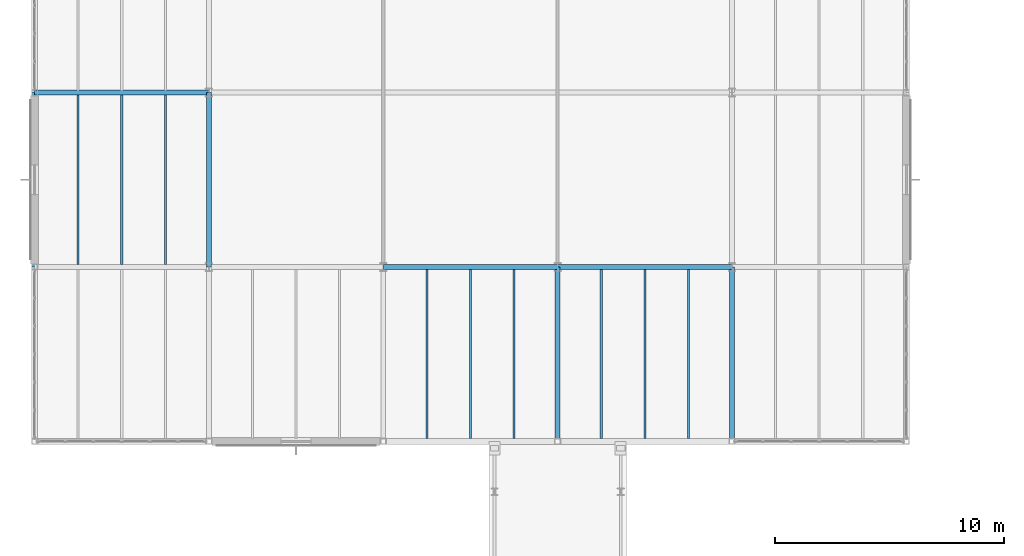
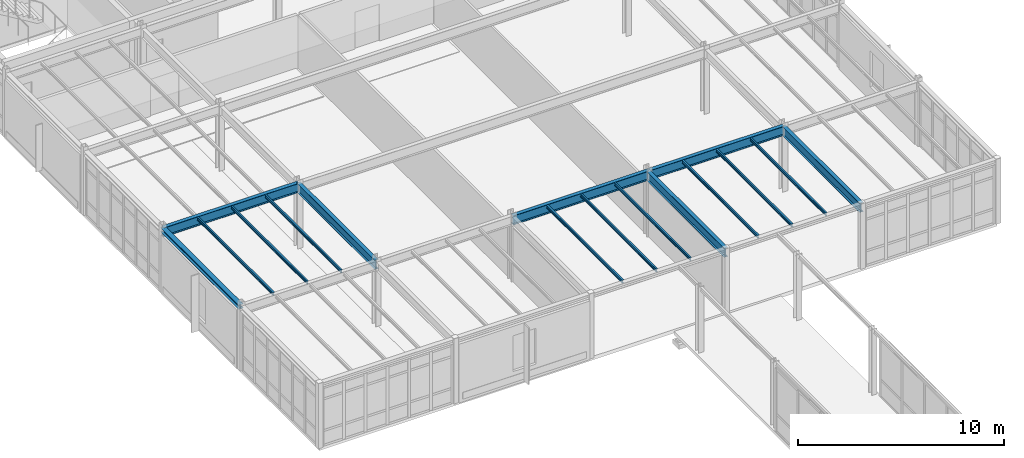
# One storey, part 62 of 189: 16 beams.
"""IFC4 building model written with IfcOpenShell, lengths in metres."""

from ifc_helpers import new_model, si_unit, direction, frame, origin, origin_2d, place, context, subcontext, project, spatial, i_section, extrude, material, material_profile, profile_set, type_object, element, save


model = new_model("IFC4")

# Units and contexts
model_context = context("Model", 3, precision=1e-05, world=origin(), true_north=direction((0.0, 1.0)))
body_context = subcontext(model_context, "Body", "Model", "MODEL_VIEW")
ifc_project = project(units=[si_unit("LENGTHUNIT", "METRE"), si_unit("AREAUNIT", "SQUARE_METRE"), si_unit("VOLUMEUNIT", "CUBIC_METRE"), si_unit("PLANEANGLEUNIT", "RADIAN"), si_unit("MASSUNIT", "GRAM", prefix="KILO")], contexts=[model_context])

# Site, building, storey
site_placement = place(None, origin())
site = spatial("IfcSite", under=ifc_project, at=site_placement, CompositionType="ELEMENT")
building_placement = place(site_placement, origin())
building = spatial("IfcBuilding", under=site, at=building_placement, Name="Montecoro Central Library", CompositionType="ELEMENT")
storey_placement = place(building_placement, frame((0.0, 0.0, 9.179931640625)))
storey = spatial("IfcBuildingStorey", under=building, at=storey_placement, Name="L02", CompositionType="ELEMENT", Elevation=9.179931640625)

# Beams
ifc_material_1 = material(Name="Steel S355J2", Category="steel")
ifc_material_profile_1 = material_profile(ifc_material_1, i_section(OverallWidth=0.2099609375, OverallDepth=0.550048828125, WebThickness=0.010986328125, FlangeThickness=0.01708984375, at=origin_2d()), Name="IPE 550")
ifc_profile_set_1 = profile_set([ifc_material_profile_1], Name="Steel S355J2")
beam_type_1 = type_object("IfcBeamType", Name="BM-G-IPE550", PredefinedType="USERDEFINED", material=ifc_profile_set_1)
beam_1_placement = place(storey_placement, frame((20.205078125, 81.0, 3.550048828125), z_axis=(1.0, 0.0, 0.0), x_axis=(0.0, 1.0, 0.0)))
element("IfcBeam", 1, at=beam_1_placement, inside=storey, type_object=beam_type_1, Name="V4-L02-BX-34-L", ObjectType="GIRDER", PredefinedType="USERDEFINED", context=body_context, shape_type="SweptSolid", body=[
    extrude(i_section(OverallWidth=0.2099609375, OverallDepth=0.550048828125, WebThickness=0.010986328125, FlangeThickness=0.01708984375, at=origin_2d()), origin(), (0.0, 0.0, 1.0), 7.58984375),
])
for number, where, z_axis, x_axis, name in (
    (2, (27.804931640625, 81.0, 3.550048828125), (1.0, 0.0, 0.0), (0.0, 1.0, 0.0), "V4-L02-BX-45-L"),
    (3, (5.0048828125, 88.60009765625, 3.550048828125), (1.0, 0.0, 0.0), (0.0, 1.0, 0.0), "V4-L02-BX-12-M"),
    (4, (12.60009765625, 81.0048828125, 3.550048828125), (0.0, 1.0, 0.0), (-1.0, 0.0, 0.0), "V4-L02-BY-2-LM"),
    (5, (27.800048828125, 73.405029296875, 3.550048828125), (0.0, 1.0, 0.0), (-1.0, 0.0, 0.0), "V4-L02-BY-4-KL"),
    (6, (35.39990234375, 73.405029296875, 3.550048828125), (0.0, 1.0, 0.0), (-1.0, 0.0, 0.0), "V4-L02-BY-5-KL"),
):
    element("IfcBeam", number, at=place(storey_placement, frame(where, z_axis=z_axis, x_axis=x_axis)), inside=storey, type_object=beam_type_1, Name=name, ObjectType="GIRDER", PredefinedType="USERDEFINED", context=body_context, shape_type="SweptSolid", body=[
        extrude(i_section(OverallWidth=0.2099609375, OverallDepth=0.550048828125, WebThickness=0.010986328125, FlangeThickness=0.01708984375, at=origin_2d()), origin(), (0.0, 0.0, 1.0), 7.590087890625),
    ])
ifc_material_2 = material(Name="Steel S355", Category="steel")
ifc_material_profile_2 = material_profile(ifc_material_2, i_section(OverallWidth=0.091064453125, OverallDepth=0.179931640625, WebThickness=0.00537109375, FlangeThickness=0.008056640625, at=origin_2d()), Name="IPE 180")
ifc_profile_set_2 = profile_set([ifc_material_profile_2], Name="Steel S355")
beam_type_2 = type_object("IfcBeamType", Name="BM-J-IPE180", PredefinedType="JOIST", material=ifc_profile_set_2)
for number, where, z_axis, x_axis, name in (
    (7, (6.89990234375, 81.10205078125, 3.735107421875), (0.0, 1.0, 0.0), (-1.0, 0.0, 0.0), "V4-L02-JS-12-LM-1"),
    (8, (8.800048828125, 81.10205078125, 3.735107421875), (0.0, 1.0, 0.0), (-1.0, 0.0, 0.0), "V4-L02-JS-12-LM-2"),
    (9, (10.699951171875, 81.10205078125, 3.735107421875), (0.0, 1.0, 0.0), (-1.0, 0.0, 0.0), "V4-L02-JS-12-LM-3"),
):
    element("IfcBeam", number, at=place(storey_placement, frame(where, z_axis=z_axis, x_axis=x_axis)), inside=storey, type_object=beam_type_2, Name=name, PredefinedType="JOIST", context=body_context, shape_type="SweptSolid", body=[
        extrude(i_section(OverallWidth=0.091064453125, OverallDepth=0.179931640625, WebThickness=0.00537109375, FlangeThickness=0.008056640625, at=origin_2d()), origin(), (0.0, 0.0, 1.0), 7.39599609375),
    ])
for number, where, z_axis, x_axis, name in (
    (10, (22.10009765625, 73.527099609375, 3.735107421875), (0.0, 1.0, 0.0), (-1.0, 0.0, 0.0), "V4-L02-JS-34-KL-1"),
    (11, (24.0, 73.527099609375, 3.735107421875), (0.0, 1.0, 0.0), (-1.0, 0.0, 0.0), "V4-L02-JS-34-KL-2"),
    (12, (25.89990234375, 73.527099609375, 3.735107421875), (0.0, 1.0, 0.0), (-1.0, 0.0, 0.0), "V4-L02-JS-34-KL-3"),
    (13, (29.699951171875, 73.527099609375, 3.735107421875), (0.0, 1.0, 0.0), (-1.0, 0.0, 0.0), "V4-L02-JS-45-KL-1"),
    (14, (31.60009765625, 73.527099609375, 3.735107421875), (0.0, 1.0, 0.0), (-1.0, 0.0, 0.0), "V4-L02-JS-45-KL-2"),
    (15, (33.5, 73.527099609375, 3.735107421875), (0.0, 1.0, 0.0), (-1.0, 0.0, 0.0), "V4-L02-JS-45-KL-3"),
):
    element("IfcBeam", number, at=place(storey_placement, frame(where, z_axis=z_axis, x_axis=x_axis)), inside=storey, type_object=beam_type_2, Name=name, PredefinedType="JOIST", context=body_context, shape_type="SweptSolid", body=[
        extrude(i_section(OverallWidth=0.091064453125, OverallDepth=0.179931640625, WebThickness=0.00537109375, FlangeThickness=0.008056640625, at=origin_2d()), origin(), (0.0, 0.0, 1.0), 7.370849609375),
    ])
ifc_material_profile_3 = material_profile(ifc_material_2, i_section(OverallWidth=0.260009765625, OverallDepth=0.25, WebThickness=0.007568359375, FlangeThickness=0.012451171875, at=origin_2d()), Name="HEA 260")
ifc_profile_set_3 = profile_set([ifc_material_profile_3], Name="Steel S355")
beam_type_3 = type_object("IfcBeamType", Name="BM-SP-HEA260", PredefinedType="SPANDREL", material=ifc_profile_set_3)
beam_2_placement = place(storey_placement, frame((5.0, 81.0048828125, 3.699951171875), z_axis=(0.0, 1.0, 0.0), x_axis=(-1.0, 0.0, 0.0)))
element("IfcBeam", 16, at=beam_2_placement, inside=storey, type_object=beam_type_3, Name="V4-L02-BY-1-LM", PredefinedType="SPANDREL", context=body_context, shape_type="SweptSolid", body=[
    extrude(i_section(OverallWidth=0.260009765625, OverallDepth=0.25, WebThickness=0.007568359375, FlangeThickness=0.012451171875, at=origin_2d()), origin(), (0.0, 0.0, 1.0), 7.590087890625),
])

save(model, "model.ifc")
